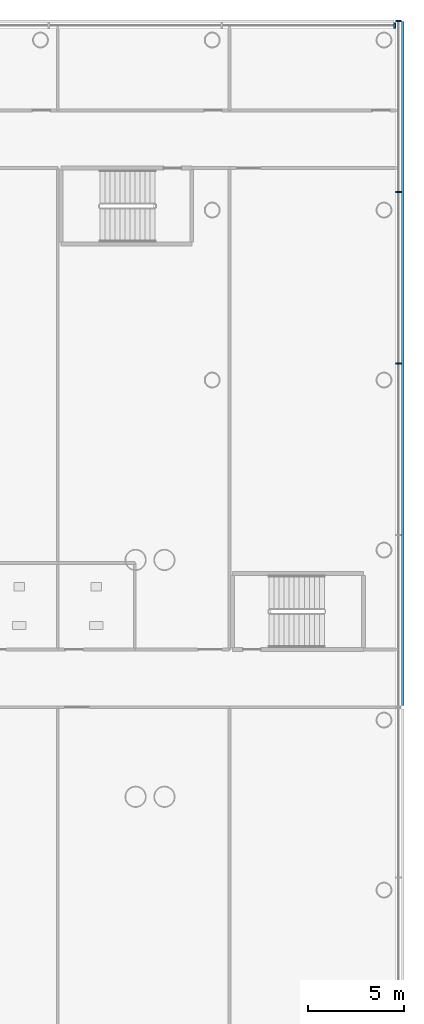
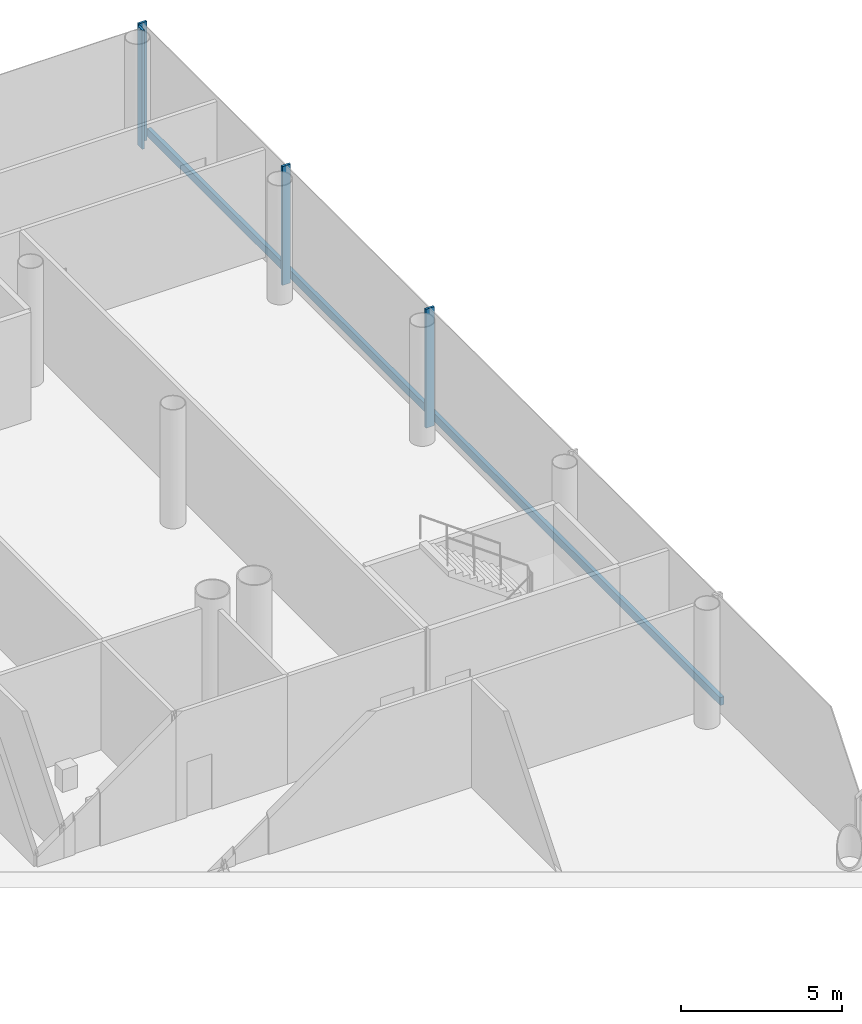
# One storey, part 14 of 49: 5 members, 2 elements without a shape of their own.
"""IFC4 building model written with IfcOpenShell, lengths in metres."""

import ifcopenshell
import ifcopenshell.guid

model = None  # the IFC model being written
_history = None  # IfcOwnerHistory: only IFC2X3 demands one
_inside = {}  # id of a spatial element -> (the spatial element, [elements in it])
_under = {}  # id of a project, library or spatial element -> (it, [spatial elements below it])
_declared = {}  # id of a project -> (the project, [libraries it declares])
_typed = {}  # id of a type object -> (the type object, [elements of that type])
_made_of = {}  # id of a material, layer set ... -> (it, [elements and type objects made of it])


def new_model(schema):
    """Start an empty IFC model of exactly this schema.

    Asked for "IFC4X3", IfcOpenShell would pick the latest addendum, in which some entities
    have other attributes; the version numbers below select the first issue.
    IFC2X3 requires an IfcOwnerHistory on every rooted entity: one is made here for all.
    """
    global model, _history
    if schema == "IFC4X3":
        model = ifcopenshell.file(schema_version=(4, 3, 0, 0))
    else:
        model = ifcopenshell.file(schema=schema)
    _inside.clear()
    _under.clear()
    _declared.clear()
    _typed.clear()
    _made_of.clear()
    _history = None
    if model.schema == "IFC2X3":
        org = make("IfcOrganization", Name="unknown")
        user = make(
            "IfcPersonAndOrganization",
            ThePerson=make("IfcPerson", FamilyName="unknown"),
            TheOrganization=org,
        )
        app = make(
            "IfcApplication",
            ApplicationDeveloper=org,
            Version="unknown",
            ApplicationFullName="unknown",
            ApplicationIdentifier="unknown",
        )
        _history = make(
            "IfcOwnerHistory",
            OwningUser=user,
            OwningApplication=app,
            ChangeAction="ADDED",
            CreationDate=0,
        )
    return model


def make(cls, **values):
    """One entity of the class cls with the attributes given. An attribute that is None is left unset."""
    return model.create_entity(
        cls, **{name: value for name, value in values.items() if value is not None}
    )


def rooted(cls, **values):
    """An entity with a GlobalId (a new one), such as an element, a storey or a relation."""
    return make(cls, GlobalId=ifcopenshell.guid.new(), OwnerHistory=_history, **values)


def si_unit(unit_type, name, prefix=None):
    """IfcSIUnit, for example si_unit("LENGTHUNIT", "METRE", prefix="MILLI")."""
    return make("IfcSIUnit", UnitType=unit_type, Prefix=prefix, Name=name)


def assignment(units):
    """IfcUnitAssignment: the units of a project."""
    return None if units is None else make("IfcUnitAssignment", Units=units)


def point(xyz):
    """IfcCartesianPoint."""
    return None if xyz is None else make("IfcCartesianPoint", Coordinates=xyz)


def direction(xyz):
    """IfcDirection."""
    return None if xyz is None else make("IfcDirection", DirectionRatios=xyz)


def frame(location, z_axis=None, x_axis=None):
    """IfcAxis2Placement3D, a coordinate frame: its origin and axes. An axis left out is left unset."""
    return make(
        "IfcAxis2Placement3D",
        Location=point(location),
        Axis=direction(z_axis),
        RefDirection=direction(x_axis),
    )


def frame_2d(location, x_axis=None):
    """IfcAxis2Placement2D, a coordinate frame in the plane: its origin and x axis."""
    return make(
        "IfcAxis2Placement2D", Location=point(location), RefDirection=direction(x_axis)
    )


def origin():
    """The frame at (0, 0, 0) with its axes left unset."""
    return frame((0.0, 0.0, 0.0))


def origin_2d():
    """The frame at (0, 0) in the plane with its x axis left unset."""
    return frame_2d((0.0, 0.0))


def place(relative_to, where):
    """IfcLocalPlacement: puts the frame where relative to a parent placement (None: the world)."""
    return make(
        "IfcLocalPlacement", PlacementRelTo=relative_to, RelativePlacement=where
    )


def context(
    kind, dimensions, precision=None, world=None, true_north=None, identifier=None
):
    """IfcGeometricRepresentationContext, for example the 3D "Model" context."""
    return make(
        "IfcGeometricRepresentationContext",
        ContextIdentifier=identifier,
        ContextType=kind,
        CoordinateSpaceDimension=dimensions,
        Precision=precision,
        WorldCoordinateSystem=world,
        TrueNorth=true_north,
    )


def subcontext(parent, identifier, kind, view, scale=None):
    """IfcGeometricRepresentationSubContext, for example "Body" below "Model"."""
    return make(
        "IfcGeometricRepresentationSubContext",
        ContextIdentifier=identifier,
        ContextType=kind,
        ParentContext=parent,
        TargetScale=scale,
        TargetView=view,
    )


def project(units=None, contexts=None):
    """IfcProject with its units and contexts."""
    return rooted(
        "IfcProject",
        Name="project",
        RepresentationContexts=contexts,
        UnitsInContext=assignment(units),
    )


def spatial(cls, under=None, at=None, **own):
    """A site, building, storey or space (cls), placed at a placement, below another one or the project."""
    s = rooted(cls, ObjectPlacement=at, **own)
    if under is not None:
        _under.setdefault(under.id(), (under, []))[1].append(s)
    return s


def profile(cls, at=None, kind="AREA", **sizes):
    """A parametric profile (cls). Its sizes go by their IFC names, for example OverallWidth=200.0."""
    return make(cls, ProfileType=kind, Position=at, **sizes)


def rectangle(**sizes):
    """IfcRectangleProfileDef."""
    return profile("IfcRectangleProfileDef", **sizes)


def extrude(swept, where, along, depth):
    """IfcExtrudedAreaSolid: the profile swept, set in the frame where, extruded along a direction by depth."""
    return make(
        "IfcExtrudedAreaSolid",
        SweptArea=swept,
        Position=where,
        ExtrudedDirection=direction(along),
        Depth=depth,
    )


def shape(context_of_items, identifier, shape_type, items):
    """IfcShapeRepresentation: the items that make up one representation, for example the "Body"."""
    return make(
        "IfcShapeRepresentation",
        ContextOfItems=context_of_items,
        RepresentationIdentifier=identifier,
        RepresentationType=shape_type,
        Items=items,
    )


def material(Name=None, Category=None):
    """IfcMaterial."""
    return make("IfcMaterial", Name=Name, Category=Category)


def layer(
    of_material, thickness, ventilated=None, Name=None, Category=None, Priority=None
):
    """IfcMaterialLayer: one layer of a wall or slab, of a material (None: an air gap)."""
    return make(
        "IfcMaterialLayer",
        Material=of_material,
        LayerThickness=thickness,
        IsVentilated=ventilated,
        Name=Name,
        Category=Category,
        Priority=Priority,
    )


def layer_set(layers, Name=None):
    """IfcMaterialLayerSet."""
    return make("IfcMaterialLayerSet", MaterialLayers=layers, LayerSetName=Name)


def material_profile(
    of_material, cross_section, Name=None, Category=None, Priority=None
):
    """IfcMaterialProfile: a cross section and its material."""
    return make(
        "IfcMaterialProfile",
        Name=Name,
        Material=of_material,
        Profile=cross_section,
        Priority=Priority,
        Category=Category,
    )


def profile_set(profiles, Name=None, composite=None):
    """IfcMaterialProfileSet."""
    return make(
        "IfcMaterialProfileSet",
        Name=Name,
        MaterialProfiles=profiles,
        CompositeProfile=composite,
    )


def made_of(thing, what):
    """Note that an element or type object is made of a material, layer set ...; save() writes the relation."""
    if what is not None:
        _made_of.setdefault(what.id(), (what, []))[1].append(thing)
    return thing


def type_object(cls, material=None, **own):
    """A type object (cls), such as IfcWallType, which elements share."""
    return made_of(rooted(cls, **own), material)


def element(
    cls,
    number,
    at=None,
    inside=None,
    cuts=None,
    type_object=None,
    material=None,
    context=None,
    identifier="Body",
    shape_type=None,
    held_by="IfcProductDefinitionShape",
    body=None,
    shapes=None,
    **own,
):
    """One element of the class cls, such as IfcWall. Its Tag is "e" and its number.

    at: its placement. inside: the storey or other place that contains it. cuts: it is an
    opening in that element (IfcRelVoidsElement). A single representation is given by context,
    identifier, shape_type and body (its items); several are given by shapes. held_by: the class
    of the entity that holds the representations. save() writes the other relations.
    """
    e = rooted(cls, Tag="e%d" % number, ObjectPlacement=at, **own)
    if body is not None:
        shapes = [shape(context, identifier, shape_type, body)]
    if shapes is not None:
        e.Representation = make(held_by, Representations=shapes)
    if inside is not None:
        _inside.setdefault(inside.id(), (inside, []))[1].append(e)
    if cuts is not None:
        rooted(
            "IfcRelVoidsElement", RelatingBuildingElement=cuts, RelatedOpeningElement=e
        )
    if type_object is not None:
        _typed.setdefault(type_object.id(), (type_object, []))[1].append(e)
    return made_of(e, material)


def aggregate(whole, parts):
    """IfcRelAggregates: a whole, such as a stair, and the parts it consists of."""
    return rooted("IfcRelAggregates", RelatingObject=whole, RelatedObjects=parts)


def save(model, path):
    """Write the relations noted so far, then the file.

    IfcRelAggregates (storeys below a building ...), IfcRelContainedInSpatialStructure (elements
    in a storey), IfcRelDefinesByType, IfcRelAssociatesMaterial and IfcRelDeclares: one each for
    every whole, place, type object, material and project.
    """
    for whole, parts in _under.values():
        aggregate(whole, parts)
    for where, things in _inside.values():
        rooted(
            "IfcRelContainedInSpatialStructure",
            RelatedElements=things,
            RelatingStructure=where,
        )
    for kind, things in _typed.values():
        rooted("IfcRelDefinesByType", RelatedObjects=things, RelatingType=kind)
    for what, things in _made_of.values():
        rooted("IfcRelAssociatesMaterial", RelatedObjects=things, RelatingMaterial=what)
    for by, libraries in _declared.values():
        rooted("IfcRelDeclares", RelatingContext=by, RelatedDefinitions=libraries)
    model.write(path)


model = new_model("IFC4")

# Units and contexts
model_context = context("Model", 3, precision=1e-05, world=origin(), true_north=direction((0.0, 1.0)))
body_context = subcontext(model_context, "Body", "Model", "MODEL_VIEW")
ifc_project = project(units=[si_unit("LENGTHUNIT", "METRE"), si_unit("AREAUNIT", "SQUARE_METRE"), si_unit("VOLUMEUNIT", "CUBIC_METRE"), si_unit("PLANEANGLEUNIT", "RADIAN"), si_unit("MASSUNIT", "GRAM", prefix="KILO")], contexts=[model_context])

# Site, building, storey
site_placement = place(None, origin())
site = spatial("IfcSite", under=ifc_project, at=site_placement, CompositionType="ELEMENT")
building_placement = place(site_placement, origin())
building = spatial("IfcBuilding", under=site, at=building_placement, Name="Ipe Terrace Towers", CompositionType="ELEMENT")
storey_placement = place(building_placement, frame((0.0, 0.0, 11.0)))
storey = spatial("IfcBuildingStorey", under=building, at=storey_placement, Name="L02", CompositionType="ELEMENT", Elevation=11.0)

# Curtain wall, members
ifc_material_1 = material(Name="Aluminium alloy 6063-T6", Category="aluminium")
ifc_layer = layer(ifc_material_1, 0.43994140625)
ifc_layer_set = layer_set([ifc_layer], Name="PODIUM GLAZING CURTAIN WALL")
curtain_wall_type = type_object("IfcCurtainWallType", Name="PODIUM GLAZING CURTAIN WALL", PredefinedType="NOTDEFINED", material=ifc_layer_set)
curtain_wall_1_placement = place(storey_placement, origin())
curtain_wall_1 = element("IfcCurtainWall", 1, at=curtain_wall_1_placement, inside=storey, type_object=curtain_wall_type, Name="POD-CW-L02-00b curtain wall", PredefinedType="NOTDEFINED")
ifc_material_2 = material(Name="Aluminium alloy 6063-T6", Category="aluminium")
ifc_material_profile_1 = material_profile(ifc_material_2, rectangle(XDim=0.300048828125, YDim=0.080078125, at=origin_2d()), Name="PODIUM GLAZING MULLION 300 x 80")
ifc_profile_set_1 = profile_set([ifc_material_profile_1], Name="Aluminium alloy 6063-T6")
member_type_1 = type_object("IfcMemberType", Name="PODIUM GLAZING MULLION 300 x 80", PredefinedType="MULLION", material=ifc_profile_set_1)
member_1_placement = place(storey_placement, frame((65.39990234375, 16.344970703125, -0.300048828125), z_axis=(0.0, 0.0, 1.0), x_axis=(1.0, 0.0, 0.0)))
member_1 = element("IfcMember", 2, at=member_1_placement, type_object=member_type_1, Name="POD-CW-L02-00b mullion 3", PredefinedType="MULLION", context=body_context, shape_type="SweptSolid", body=[
    extrude(rectangle(XDim=0.300048828125, YDim=0.080078125, at=origin_2d()), origin(), (0.0, 0.0, 1.0), 4.5),
])
member_2_placement = place(storey_placement, frame((65.39990234375, 25.24755859375, -0.300048828125), z_axis=(0.0, 0.0, 1.0), x_axis=(1.0, 0.0, 0.0)))
member_2 = element("IfcMember", 3, at=member_2_placement, type_object=member_type_1, Name="POD-CW-L02-00b mullion 4", PredefinedType="MULLION", context=body_context, shape_type="SweptSolid", body=[
    extrude(rectangle(XDim=0.300048828125, YDim=0.080078125, at=origin_2d()), origin(), (0.0, 0.0, 1.0), 4.5),
])
member_3_placement = place(storey_placement, frame((65.39990234375, 34.14990234375, -0.300048828125), z_axis=(0.0, 0.0, 1.0), x_axis=(1.0, 0.0, 0.0)))
member_3 = element("IfcMember", 4, at=member_3_placement, type_object=member_type_1, Name="POD-CW-L02-00b mullion 5", PredefinedType="MULLION", context=body_context, shape_type="SweptSolid", body=[
    extrude(rectangle(XDim=0.300048828125, YDim=0.080078125, at=origin_2d()), origin(), (0.0, 0.0, 1.0), 4.5),
])

# Curtain wall, member
curtain_wall_2_placement = place(storey_placement, origin())
curtain_wall_2 = element("IfcCurtainWall", 5, at=curtain_wall_2_placement, inside=storey, type_object=curtain_wall_type, Name="POD-CW-L02-01a curtain wall", PredefinedType="NOTDEFINED")
member_4_placement = place(storey_placement, frame((65.2099609375, 33.89990234375, -0.300048828125), z_axis=(0.0, 0.0, 1.0), x_axis=(0.0, 1.0, 0.0)))
member_4 = element("IfcMember", 6, at=member_4_placement, type_object=member_type_1, Name="POD-CW-L02-01a mullion 1", PredefinedType="MULLION", context=body_context, shape_type="SweptSolid", body=[
    extrude(rectangle(XDim=0.300048828125, YDim=0.080078125, at=origin_2d()), origin(), (0.0, 0.0, 1.0), 4.5),
])
aggregate(curtain_wall_2, [member_4])

# Member
ifc_material_3 = material(Name="Aluminium alloy 6063-T6", Category="aluminium")
ifc_material_profile_2 = material_profile(ifc_material_3, rectangle(XDim=0.139892578125, YDim=0.300048828125, at=origin_2d()), Name="PODIUM GLAZING TRANSOM 140 x 300")
ifc_profile_set_2 = profile_set([ifc_material_profile_2], Name="Aluminium alloy 6063-T6")
member_type_2 = type_object("IfcMemberType", Name="PODIUM GLAZING TRANSOM 140 x 300", PredefinedType="USERDEFINED", material=ifc_profile_set_2)
member_5_placement = place(storey_placement, frame((65.6201171875, -1.419921875, 0.0), z_axis=(0.0, 1.0, 0.0), x_axis=(1.0, 0.0, 0.0)))
member_5 = element("IfcMember", 7, at=member_5_placement, type_object=member_type_2, Name="POD-CW-L02-00b transom", ObjectType="TRANSOM", PredefinedType="USERDEFINED", context=body_context, shape_type="SweptSolid", body=[
    extrude(rectangle(XDim=0.139892578125, YDim=0.300048828125, at=origin_2d()), origin(), (0.0, 0.0, 1.0), 35.530029296875),
])

aggregate(curtain_wall_1, [member_1, member_2, member_3, member_5])

save(model, "model.ifc")
